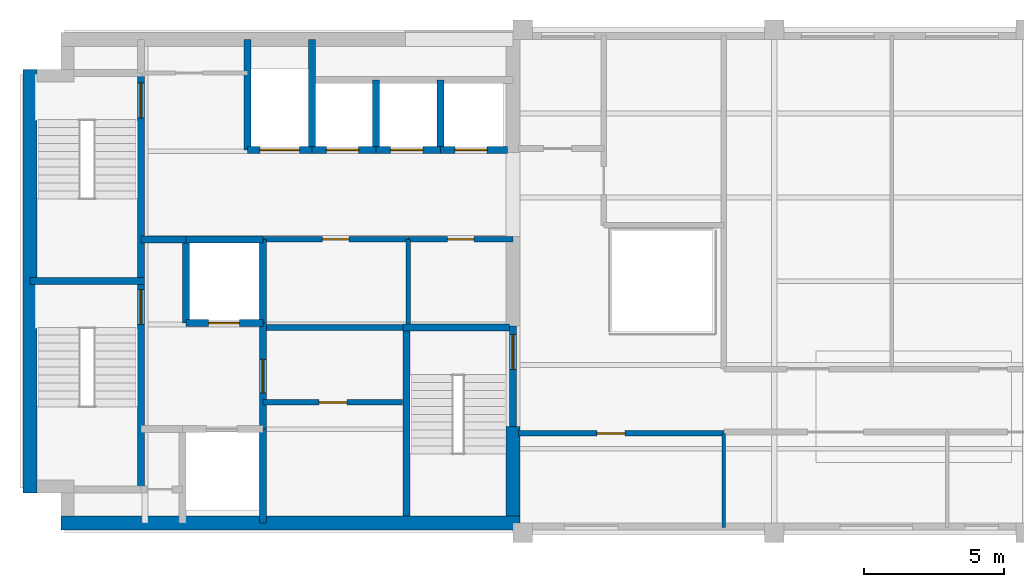
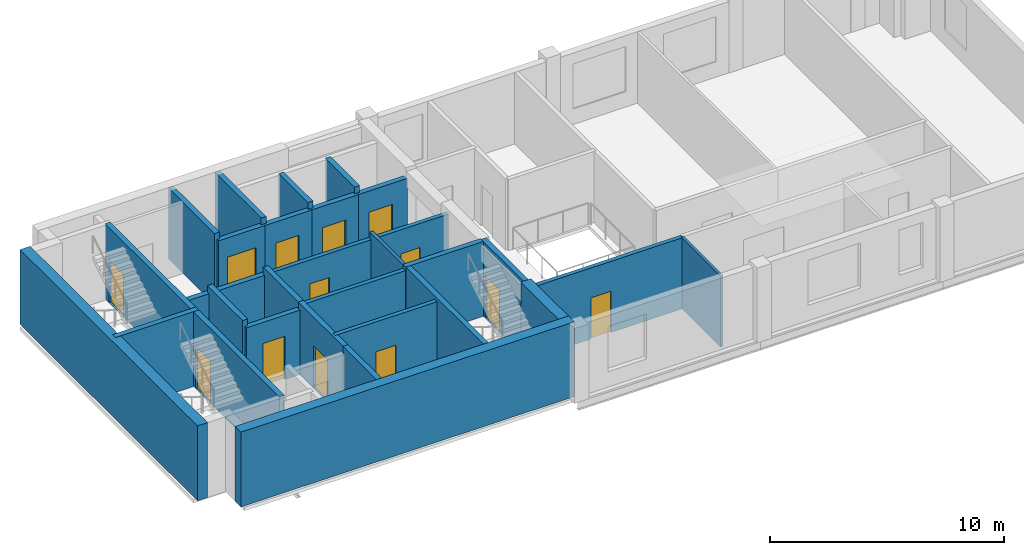
# One storey, part 2 of 5: 31 walls, 13 doors, 13 openings.
"""IFC4 building model written with IfcOpenShell, lengths in metres."""

from ifc_helpers import new_model, si_unit, direction, frame, frame_2d, origin, place, context, subcontext, project, spatial, rectangle, extrude, material, layer, layer_set, type_object, element, fill, save


model = new_model("IFC4")

# Units and contexts
model_context = context("Model", 3, precision=1e-05, world=origin(), true_north=direction((0.0, 1.0)))
body_context = subcontext(model_context, "Body", "Model", "MODEL_VIEW")
ifc_project = project(units=[si_unit("LENGTHUNIT", "METRE"), si_unit("AREAUNIT", "SQUARE_METRE"), si_unit("VOLUMEUNIT", "CUBIC_METRE"), si_unit("PLANEANGLEUNIT", "RADIAN"), si_unit("MASSUNIT", "GRAM", prefix="KILO")], contexts=[model_context])

# Site, building, storey
site_placement = place(None, origin())
site = spatial("IfcSite", under=ifc_project, at=site_placement, CompositionType="ELEMENT")
building_placement = place(site_placement, origin())
building = spatial("IfcBuilding", under=site, at=building_placement, Name="Mawjdan Bourse Tower", CompositionType="ELEMENT")
storey_placement = place(building_placement, frame((0.0, 0.0, 293.699951171875)))
storey = spatial("IfcBuildingStorey", under=building, at=storey_placement, Name="L72", CompositionType="ELEMENT", Elevation=293.699951171875)

# Wall, opening, door
ifc_material_1 = material(Name="Gypsum Fireboard Assembly")
ifc_layer_1 = layer(ifc_material_1, 0.199951171875)
ifc_layer_set_1 = layer_set([ifc_layer_1], Name="Gypsum Fireboard Assembly")
wall_type_1 = type_object("IfcWallType", Name="WL-CMP-200", PredefinedType="PARTITIONING", material=ifc_layer_set_1)
wall_1_placement = place(storey_placement, frame((14.699951171875, 7.659912109375, 0.0), z_axis=(0.0, 0.0, 1.0), x_axis=(1.0, 0.0, 0.0)))
wall_1 = element("IfcWall", 1, at=wall_1_placement, inside=storey, type_object=wall_type_1, Name="L72 Staff Wellness Lounge North Wall", PredefinedType="PARTITIONING", context=body_context, shape_type="SweptSolid", body=[
    extrude(rectangle(XDim=5.0, YDim=0.199951171875, at=frame_2d((2.5, 0.0))), origin(), (0.0, 0.0, 1.0), 3.705078125),
])
opening_1_placement = place(wall_1_placement, frame((2.0, 0.0, 0.0)))
opening_1 = element("IfcOpeningElement", 2, at=opening_1_placement, cuts=wall_1, Name="Opening D-L72-13", PredefinedType="OPENING", context=body_context, shape_type="SweptSolid", body=[
    extrude(rectangle(XDim=1.0, YDim=2.14990234375, at=frame_2d((0.5, 1.074951171875))), frame((0.0, 0.10986328125, 0.0), z_axis=(0.0, -1.0, 0.0), x_axis=(1.0, 0.0, 0.0)), (0.0, 0.0, 1.0), 0.219970703125),
])
ifc_material_2 = material(Name="Hardwood Acoustic Leaf", Category="wood")
door_type_1 = type_object("IfcDoorType", Name="DR-OFC-1000", OperationType="NOTDEFINED", PredefinedType="DOOR", material=ifc_material_2)
door_1_placement = place(opening_1_placement, origin())
door_1 = element("IfcDoor", 3, at=door_1_placement, inside=storey, type_object=door_type_1, Name="L72 Staff Wellness Lounge Door D-L72-13", OperationType="SINGLE_SWING_LEFT", OverallHeight=2.14990234375, OverallWidth=1.0, PredefinedType="DOOR", context=body_context, shape_type="SweptSolid", body=[
    extrude(rectangle(XDim=1.0, YDim=2.14990234375, at=frame_2d((0.5, 1.074951171875))), frame((0.0, 0.02490234375, 0.0), z_axis=(0.0, -1.0, 0.0), x_axis=(1.0, 0.0, 0.0)), (0.0, 0.0, 1.0), 0.050048828125),
])
fill(opening_1, door_1)

# Wall
wall_2_placement = place(storey_placement, frame((14.824951171875, 10.340087890625, 0.0), z_axis=(0.0, 0.0, 1.0), x_axis=(1.0, 0.0, 0.0)))
element("IfcWall", 4, at=wall_2_placement, inside=storey, type_object=wall_type_1, Name="L72 Core Restroom Suite South Wall", PredefinedType="PARTITIONING", context=body_context, shape_type="SweptSolid", body=[
    extrude(rectangle(XDim=4.880126953125, YDim=0.199951171875, at=frame_2d((2.43994140625, 0.0))), origin(), (0.0, 0.0, 1.0), 3.705078125),
])

# Wall, opening, door
wall_3_placement = place(storey_placement, frame((14.699951171875, 13.5, 0.0), z_axis=(0.0, 0.0, 1.0), x_axis=(1.0, 0.0, 0.0)))
wall_3 = element("IfcWall", 5, at=wall_3_placement, inside=storey, type_object=wall_type_1, Name="L72 Accessible WC North Wall", PredefinedType="PARTITIONING", context=body_context, shape_type="SweptSolid", body=[
    extrude(rectangle(XDim=5.199951171875, YDim=0.199951171875, at=frame_2d((2.60009765625, 0.0))), origin(), (0.0, 0.0, 1.0), 3.35400390625),
])
opening_2_placement = place(wall_3_placement, frame((2.125, 0.0, 0.0)))
opening_2 = element("IfcOpeningElement", 6, at=opening_2_placement, cuts=wall_3, Name="Opening D-L72-14", PredefinedType="OPENING", context=body_context, shape_type="SweptSolid", body=[
    extrude(rectangle(XDim=0.949951171875, YDim=2.10009765625, at=frame_2d((0.47509765625, 1.050048828125))), frame((0.0, 0.10986328125, 0.0), z_axis=(0.0, -1.0, 0.0), x_axis=(1.0, 0.0, 0.0)), (0.0, 0.0, 1.0), 0.219970703125),
])
ifc_material_3 = material(Name="Moisture-Resistant Laminate Timber", Category="wood")
door_type_2 = type_object("IfcDoorType", Name="DR-WET-0950", OperationType="NOTDEFINED", PredefinedType="DOOR", material=ifc_material_3)
door_2_placement = place(opening_2_placement, origin())
door_2 = element("IfcDoor", 7, at=door_2_placement, inside=storey, type_object=door_type_2, Name="L72 Accessible WC Door D-L72-14", OperationType="SINGLE_SWING_RIGHT", OverallHeight=2.10009765625, OverallWidth=0.949951171875, PredefinedType="DOOR", context=body_context, shape_type="SweptSolid", body=[
    extrude(rectangle(XDim=0.949951171875, YDim=2.10009765625, at=frame_2d((0.47509765625, 1.050048828125))), frame((0.0, 0.02490234375, 0.0), z_axis=(0.0, -1.0, 0.0), x_axis=(1.0, 0.0, 0.0)), (0.0, 0.0, 1.0), 0.050048828125),
])
fill(opening_2, door_2)

wall_4_placement = place(storey_placement, frame((19.89990234375, 13.5, 0.0), z_axis=(0.0, 0.0, 1.0), x_axis=(1.0, 0.0, 0.0)))
wall_4 = element("IfcWall", 8, at=wall_4_placement, inside=storey, type_object=wall_type_1, Name="L72 Staff Wellness & Quiet Room North Wall", PredefinedType="PARTITIONING", context=body_context, shape_type="SweptSolid", body=[
    extrude(rectangle(XDim=3.75, YDim=0.199951171875, at=frame_2d((1.875, 0.0))), origin(), (0.0, 0.0, 1.0), 3.35400390625),
])
opening_3_placement = place(wall_4_placement, frame((1.39990234375, 0.0, 0.0)))
opening_3 = element("IfcOpeningElement", 9, at=opening_3_placement, cuts=wall_4, Name="Opening D-L72-15", PredefinedType="OPENING", context=body_context, shape_type="SweptSolid", body=[
    extrude(rectangle(XDim=0.949951171875, YDim=2.10009765625, at=frame_2d((0.47509765625, 1.050048828125))), frame((0.0, 0.10986328125, 0.0), z_axis=(0.0, -1.0, 0.0), x_axis=(1.0, 0.0, 0.0)), (0.0, 0.0, 1.0), 0.219970703125),
])
door_3_placement = place(opening_3_placement, origin())
door_3 = element("IfcDoor", 10, at=door_3_placement, inside=storey, type_object=door_type_2, Name="L72 Staff Wellness & Quiet Room Door D-L72-15", OperationType="SINGLE_SWING_LEFT", OverallHeight=2.10009765625, OverallWidth=0.949951171875, PredefinedType="DOOR", context=body_context, shape_type="SweptSolid", body=[
    extrude(rectangle(XDim=0.949951171875, YDim=2.10009765625, at=frame_2d((0.47509765625, 1.050048828125))), frame((0.0, 0.02490234375, 0.0), z_axis=(0.0, -1.0, 0.0), x_axis=(1.0, 0.0, 0.0)), (0.0, 0.0, 1.0), 0.050048828125),
])
fill(opening_3, door_3)

wall_5_placement = place(storey_placement, frame((23.85009765625, 6.550048828125, 0.0), z_axis=(0.0, 0.0, 1.0), x_axis=(1.0, 0.0, 0.0)))
wall_5 = element("IfcWall", 11, at=wall_5_placement, inside=storey, type_object=wall_type_1, Name="L72 Summit Throat South Wall", PredefinedType="PARTITIONING", context=body_context, shape_type="SweptSolid", body=[
    extrude(rectangle(XDim=7.349853515625, YDim=0.199951171875, at=frame_2d((3.6748046875, 0.0))), origin(), (0.0, 0.0, 1.0), 3.705078125),
])
opening_4_placement = place(wall_5_placement, frame((2.800048828125, 0.0, 0.0)))
opening_4 = element("IfcOpeningElement", 12, at=opening_4_placement, cuts=wall_5, Name="Opening D-L72-17", PredefinedType="OPENING", context=body_context, shape_type="SweptSolid", body=[
    extrude(rectangle(XDim=1.0, YDim=2.14990234375, at=frame_2d((0.5, 1.074951171875))), frame((0.0, 0.10986328125, 0.0), z_axis=(0.0, -1.0, 0.0), x_axis=(1.0, 0.0, 0.0)), (0.0, 0.0, 1.0), 0.219970703125),
])
door_4_placement = place(opening_4_placement, origin())
door_4 = element("IfcDoor", 13, at=door_4_placement, inside=storey, type_object=door_type_1, Name="L72 Summit Throat South Room Door D-L72-17", OperationType="SINGLE_SWING_LEFT", OverallHeight=2.14990234375, OverallWidth=1.0, PredefinedType="DOOR", context=body_context, shape_type="SweptSolid", body=[
    extrude(rectangle(XDim=1.0, YDim=2.14990234375, at=frame_2d((0.5, 1.074951171875))), frame((0.0, 0.02490234375, 0.0), z_axis=(0.0, -1.0, 0.0), x_axis=(1.0, 0.0, 0.0)), (0.0, 0.0, 1.0), 0.050048828125),
])
fill(opening_4, door_4)

# Walls
ifc_material_4 = material(Name="Concrete C60/75", Category="concrete")
ifc_layer_2 = layer(ifc_material_4, 0.5)
ifc_layer_set_2 = layer_set([ifc_layer_2], Name="Concrete C60/75")
wall_type_2 = type_object("IfcWallType", Name="WL-CORE-500", PredefinedType="SHEAR", material=ifc_layer_set_2)
wall_6_placement = place(storey_placement, frame((7.47509765625, 3.35009765625, 0.0), z_axis=(0.0, 0.0, 1.0), x_axis=(1.0, 0.0, 0.0)))
element("IfcWall", 14, at=wall_6_placement, inside=storey, type_object=wall_type_2, Name="L72 Rear Core Shear Wall S", PredefinedType="SHEAR", context=body_context, shape_type="SweptSolid", body=[
    extrude(rectangle(XDim=16.4248046875, YDim=0.5, at=frame_2d((8.21240234375, 0.0))), origin(), (0.0, 0.0, 1.0), 3.900146484375),
])
wall_7_placement = place(storey_placement, frame((6.35009765625, 4.425048828125, 0.0), z_axis=(0.0, 0.0, 1.0), x_axis=(0.0, 1.0, 0.0)))
element("IfcWall", 15, at=wall_7_placement, inside=storey, type_object=wall_type_2, Name="L72 Rear Core Shear Wall W", PredefinedType="SHEAR", context=body_context, shape_type="SweptSolid", body=[
    extrude(rectangle(XDim=15.14990234375, YDim=0.5, at=frame_2d((7.574951171875, 0.0))), origin(), (0.0, 0.0, 1.0), 3.900146484375),
])
wall_8_placement = place(storey_placement, frame((23.64990234375, 3.60009765625, 0.0), z_axis=(0.0, 0.0, 1.0), x_axis=(0.0, 1.0, 0.0)))
element("IfcWall", 16, at=wall_8_placement, inside=storey, type_object=wall_type_2, Name="L72 Rear Core Shear Wall E1", PredefinedType="SHEAR", context=body_context, shape_type="SweptSolid", body=[
    extrude(rectangle(XDim=3.199951171875, YDim=0.5, at=frame_2d((1.60009765625, 0.0))), origin(), (0.0, 0.0, 1.0), 3.900146484375),
])
ifc_material_5 = material(Name="Gypsum Partition")
ifc_layer_3 = layer(ifc_material_5, 0.125)
ifc_layer_set_3 = layer_set([ifc_layer_3], Name="Gypsum Partition")
wall_type_3 = type_object("IfcWallType", Name="WL-PRT-125", PredefinedType="PARTITIONING", material=ifc_layer_set_3)
wall_9_placement = place(storey_placement, frame((31.199951171875, 3.179931640625, 0.0), z_axis=(0.0, 0.0, 1.0), x_axis=(0.0, 1.0, 0.0)))
element("IfcWall", 17, at=wall_9_placement, inside=storey, type_object=wall_type_3, Name="L72 Summit Throat South Return", PredefinedType="PARTITIONING", context=body_context, shape_type="SweptSolid", body=[
    extrude(rectangle(XDim=3.3701171875, YDim=0.125, at=frame_2d((1.68505859375, 0.0))), origin(), (0.0, 0.0, 1.0), 3.705078125),
])
ifc_material_6 = material(Name="Gypsum Acoustic Partition")
ifc_layer_4 = layer(ifc_material_6, 0.14990234375)
ifc_layer_set_4 = layer_set([ifc_layer_4], Name="Gypsum Acoustic Partition")
wall_type_4 = type_object("IfcWallType", Name="WL-PRT-150", PredefinedType="PARTITIONING", material=ifc_layer_set_4)
wall_10_placement = place(storey_placement, frame((19.89990234375, 10.465087890625, 0.0), z_axis=(0.0, 0.0, 1.0), x_axis=(0.0, 1.0, 0.0)))
element("IfcWall", 18, at=wall_10_placement, inside=storey, type_object=wall_type_4, Name="L72 Staff Wellness & Quiet Room Split Wall", PredefinedType="PARTITIONING", context=body_context, shape_type="SweptSolid", body=[
    extrude(rectangle(XDim=3.034912109375, YDim=0.14990234375, at=frame_2d((1.517578125, 0.0))), origin(), (0.0, 0.0, 1.0), 3.705078125),
])
ifc_material_7 = material(Name="Concrete C50/60", Category="concrete")
ifc_layer_5 = layer(ifc_material_7, 0.25)
ifc_layer_set_5 = layer_set([ifc_layer_5], Name="Concrete C50/60")
wall_type_5 = type_object("IfcWallType", Name="WL-SHFT-250", PredefinedType="PARTITIONING", material=ifc_layer_set_5)
wall_11_placement = place(storey_placement, frame((14.699951171875, 3.35009765625, 0.0), z_axis=(0.0, 0.0, 1.0), x_axis=(0.0, 1.0, 0.0)))
element("IfcWall", 19, at=wall_11_placement, inside=storey, type_object=wall_type_5, Name="L72 FFL-01 East Shaft Wall", PredefinedType="PARTITIONING", context=body_context, shape_type="SweptSolid", body=[
    extrude(rectangle(XDim=3.349853515625, YDim=0.25, at=frame_2d((1.6748046875, 0.0))), origin(), (0.0, 0.0, 1.0), 3.705078125),
])

# Wall, opening, door
wall_12_placement = place(storey_placement, frame((11.949951171875, 10.5, 0.0), z_axis=(0.0, 0.0, 1.0), x_axis=(1.0, 0.0, 0.0)))
wall_12 = element("IfcWall", 20, at=wall_12_placement, inside=storey, type_object=wall_type_5, Name="L72 FFL-02 Front Shaft Wall", PredefinedType="PARTITIONING", context=body_context, shape_type="SweptSolid", body=[
    extrude(rectangle(XDim=2.75, YDim=0.25, at=frame_2d((1.375, 0.0))), origin(), (0.0, 0.0, 1.0), 3.35400390625),
])
opening_5_placement = place(wall_12_placement, frame((0.800048828125, 0.0, 0.0)))
opening_5 = element("IfcOpeningElement", 21, at=opening_5_placement, cuts=wall_12, Name="Opening LD-L72-06", PredefinedType="OPENING", context=body_context, shape_type="SweptSolid", body=[
    extrude(rectangle(XDim=1.10009765625, YDim=2.25, at=frame_2d((0.550048828125, 1.125))), frame((0.0, 0.135009765625, 0.0), z_axis=(0.0, -1.0, 0.0), x_axis=(1.0, 0.0, 0.0)), (0.0, 0.0, 1.0), 0.27001953125),
])
ifc_material_8 = material(Name="Brushed Stainless Steel", Category="steel")
door_type_3 = type_object("IfcDoorType", Name="LD-FFL-1100", OperationType="DOUBLE_DOOR_SLIDING", PredefinedType="DOOR", material=ifc_material_8)
door_5_placement = place(opening_5_placement, origin())
door_5 = element("IfcDoor", 22, at=door_5_placement, inside=storey, type_object=door_type_3, Name="L72 Firefighting Lift FFL-02 Landing Door LD-L72-06", OperationType="DOUBLE_DOOR_SLIDING", OverallHeight=2.25, OverallWidth=1.10009765625, PredefinedType="DOOR", context=body_context, shape_type="SweptSolid", body=[
    extrude(rectangle(XDim=1.10009765625, YDim=2.25, at=frame_2d((0.550048828125, 1.125))), frame((0.0, 0.02490234375, 0.0), z_axis=(0.0, -1.0, 0.0), x_axis=(1.0, 0.0, 0.0)), (0.0, 0.0, 1.0), 0.050048828125),
])
fill(opening_5, door_5)

# Walls
wall_13_placement = place(storey_placement, frame((11.949951171875, 10.5, 0.0), z_axis=(0.0, 0.0, 1.0), x_axis=(0.0, 1.0, 0.0)))
element("IfcWall", 23, at=wall_13_placement, inside=storey, type_object=wall_type_5, Name="L72 FFL-02 West Shaft Wall", PredefinedType="PARTITIONING", context=body_context, shape_type="SweptSolid", body=[
    extrude(rectangle(XDim=3.0, YDim=0.25, at=frame_2d((1.5, 0.0))), origin(), (0.0, 0.0, 1.0), 3.705078125),
])
wall_14_placement = place(storey_placement, frame((11.949951171875, 13.5, 0.0), z_axis=(0.0, 0.0, 1.0), x_axis=(1.0, 0.0, 0.0)))
element("IfcWall", 24, at=wall_14_placement, inside=storey, type_object=wall_type_5, Name="L72 FFL-02 North Shaft Wall", PredefinedType="PARTITIONING", context=body_context, shape_type="SweptSolid", body=[
    extrude(rectangle(XDim=2.75, YDim=0.25, at=frame_2d((1.375, 0.0))), origin(), (0.0, 0.0, 1.0), 3.35400390625),
])
wall_15_placement = place(storey_placement, frame((14.699951171875, 10.5, 0.0), z_axis=(0.0, 0.0, 1.0), x_axis=(0.0, 1.0, 0.0)))
element("IfcWall", 25, at=wall_15_placement, inside=storey, type_object=wall_type_5, Name="L72 FFL-02 East Shaft Wall", PredefinedType="PARTITIONING", context=body_context, shape_type="SweptSolid", body=[
    extrude(rectangle(XDim=3.0, YDim=0.25, at=frame_2d((1.5, 0.0))), origin(), (0.0, 0.0, 1.0), 3.705078125),
])

# Wall, opening, door
wall_16_placement = place(storey_placement, frame((14.699951171875, 6.699951171875, 0.0), z_axis=(0.0, 0.0, 1.0), x_axis=(0.0, 1.0, 0.0)))
wall_16 = element("IfcWall", 26, at=wall_16_placement, inside=storey, type_object=wall_type_5, Name="L72 Firefighting Lobby East Compartment Wall", PredefinedType="PARTITIONING", context=body_context, shape_type="SweptSolid", body=[
    extrude(rectangle(XDim=3.800048828125, YDim=0.25, at=frame_2d((1.89990234375, 0.0))), origin(), (0.0, 0.0, 1.0), 3.705078125),
])
opening_6_placement = place(wall_16_placement, frame((1.300048828125, 0.0, 0.0)))
opening_6 = element("IfcOpeningElement", 27, at=opening_6_placement, cuts=wall_16, Name="Opening FD-L72-07", PredefinedType="OPENING", context=body_context, shape_type="SweptSolid", body=[
    extrude(rectangle(XDim=1.199951171875, YDim=2.199951171875, at=frame_2d((0.60009765625, 1.10009765625))), frame((0.0, 0.135009765625, 0.0), z_axis=(0.0, -1.0, 0.0), x_axis=(1.0, 0.0, 0.0)), (0.0, 0.0, 1.0), 0.27001953125),
])
ifc_material_9 = material(Name="Fire-Rated Steel Leaf", Category="steel")
door_type_4 = type_object("IfcDoorType", Name="FD-FFL-1200", OperationType="NOTDEFINED", PredefinedType="DOOR", material=ifc_material_9)
door_6_placement = place(opening_6_placement, origin())
door_6 = element("IfcDoor", 28, at=door_6_placement, inside=storey, type_object=door_type_4, Name="L72 Firefighting Lobby East Smoke Door FD-L72-07", OperationType="SINGLE_SWING_LEFT", OverallHeight=2.199951171875, OverallWidth=1.199951171875, PredefinedType="DOOR", context=body_context, shape_type="SweptSolid", body=[
    extrude(rectangle(XDim=1.199951171875, YDim=2.199951171875, at=frame_2d((0.60009765625, 1.10009765625))), frame((0.0, 0.02490234375, 0.0), z_axis=(0.0, -1.0, 0.0), x_axis=(1.0, 0.0, 0.0)), (0.0, 0.0, 1.0), 0.050048828125),
])
fill(opening_6, door_6)

# Wall
wall_17_placement = place(storey_placement, frame((10.330078125, 13.5, 0.0), z_axis=(0.0, 0.0, 1.0), x_axis=(1.0, 0.0, 0.0)))
element("IfcWall", 29, at=wall_17_placement, inside=storey, type_object=wall_type_5, Name="L72 Firefighting Lobby North Compartment Wall", PredefinedType="PARTITIONING", context=body_context, shape_type="SweptSolid", body=[
    extrude(rectangle(XDim=1.619873046875, YDim=0.25, at=frame_2d((0.81005859375, 0.0))), origin(), (0.0, 0.0, 1.0), 3.35400390625),
])

# Wall, opening, door
wall_18_placement = place(storey_placement, frame((14.14990234375, 16.699951171875, 0.0), z_axis=(0.0, 0.0, 1.0), x_axis=(1.0, 0.0, 0.0)))
wall_18 = element("IfcWall", 30, at=wall_18_placement, inside=storey, type_object=wall_type_5, Name="L72 SVL-01 Front Shaft Wall", PredefinedType="PARTITIONING", context=body_context, shape_type="SweptSolid", body=[
    extrude(rectangle(XDim=2.300048828125, YDim=0.25, at=frame_2d((1.14990234375, 0.0))), origin(), (0.0, 0.0, 1.0), 3.35400390625),
])
opening_7_placement = place(wall_18_placement, frame((0.449951171875, 0.0, 0.0)))
opening_7 = element("IfcOpeningElement", 31, at=opening_7_placement, cuts=wall_18, Name="Opening LD-L72-09", PredefinedType="OPENING", context=body_context, shape_type="SweptSolid", body=[
    extrude(rectangle(XDim=1.39990234375, YDim=2.35009765625, at=frame_2d((0.699951171875, 1.175048828125))), frame((0.0, 0.135009765625, 0.0), z_axis=(0.0, -1.0, 0.0), x_axis=(1.0, 0.0, 0.0)), (0.0, 0.0, 1.0), 0.27001953125),
])
ifc_material_10 = material(Name="Heavy-Duty Stainless Steel", Category="steel")
door_type_5 = type_object("IfcDoorType", Name="LD-SRV-1400", OperationType="DOUBLE_DOOR_SLIDING", PredefinedType="DOOR", material=ifc_material_10)
door_7_placement = place(opening_7_placement, origin())
door_7 = element("IfcDoor", 32, at=door_7_placement, inside=storey, type_object=door_type_5, Name="L72 Service Lift SVL-01 Landing Door LD-L72-09", OperationType="DOUBLE_DOOR_SLIDING", OverallHeight=2.35009765625, OverallWidth=1.39990234375, PredefinedType="DOOR", context=body_context, shape_type="SweptSolid", body=[
    extrude(rectangle(XDim=1.39990234375, YDim=2.35009765625, at=frame_2d((0.699951171875, 1.175048828125))), frame((0.0, 0.02490234375, 0.0), z_axis=(0.0, -1.0, 0.0), x_axis=(1.0, 0.0, 0.0)), (0.0, 0.0, 1.0), 0.050048828125),
])
fill(opening_7, door_7)

# Walls
for number, where, z_axis, x_axis, name in (
    (33, (14.14990234375, 16.699951171875, 0.0), (0.0, 0.0, 1.0), (0.0, 1.0, 0.0), "L72 SVL-01 West Shaft Wall"),
    (34, (16.449951171875, 16.699951171875, 0.0), (0.0, 0.0, 1.0), (0.0, 1.0, 0.0), "L72 SVL-01 East Shaft Wall"),
):
    element("IfcWall", number, at=place(storey_placement, frame(where, z_axis=z_axis, x_axis=x_axis)), inside=storey, type_object=wall_type_5, Name=name, PredefinedType="PARTITIONING", context=body_context, shape_type="SweptSolid", body=[
        extrude(rectangle(XDim=3.949951171875, YDim=0.25, at=frame_2d((1.97509765625, 0.0))), origin(), (0.0, 0.0, 1.0), 3.705078125),
    ])

# Wall, opening, door
wall_19_placement = place(storey_placement, frame((16.449951171875, 16.699951171875, 0.0), z_axis=(0.0, 0.0, 1.0), x_axis=(1.0, 0.0, 0.0)))
wall_19 = element("IfcWall", 35, at=wall_19_placement, inside=storey, type_object=wall_type_5, Name="L72 PH-01 Front Wall", PredefinedType="PARTITIONING", context=body_context, shape_type="SweptSolid", body=[
    extrude(rectangle(XDim=2.300048828125, YDim=0.25, at=frame_2d((1.14990234375, 0.0))), origin(), (0.0, 0.0, 1.0), 3.35400390625),
])
opening_8_placement = place(wall_19_placement, frame((0.52001953125, 0.0, 0.0)))
opening_8 = element("IfcOpeningElement", 36, at=opening_8_placement, cuts=wall_19, Name="Opening LD-L72-10", PredefinedType="OPENING", context=body_context, shape_type="SweptSolid", body=[
    extrude(rectangle(XDim=1.14990234375, YDim=2.25, at=frame_2d((0.574951171875, 1.125))), frame((0.0, 0.135009765625, 0.0), z_axis=(0.0, -1.0, 0.0), x_axis=(1.0, 0.0, 0.0)), (0.0, 0.0, 1.0), 0.27001953125),
])
door_type_6 = type_object("IfcDoorType", Name="LD-PAS-1150", OperationType="DOUBLE_DOOR_SLIDING", PredefinedType="DOOR", material=ifc_material_8)
door_8_placement = place(opening_8_placement, origin())
door_8 = element("IfcDoor", 37, at=door_8_placement, inside=storey, type_object=door_type_6, Name="L72 Lift PH-01 Landing Door LD-L72-10", OperationType="DOUBLE_DOOR_SLIDING", OverallHeight=2.25, OverallWidth=1.14990234375, PredefinedType="DOOR", context=body_context, shape_type="SweptSolid", body=[
    extrude(rectangle(XDim=1.14990234375, YDim=2.25, at=frame_2d((0.574951171875, 1.125))), frame((0.0, 0.02490234375, 0.0), z_axis=(0.0, -1.0, 0.0), x_axis=(1.0, 0.0, 0.0)), (0.0, 0.0, 1.0), 0.050048828125),
])
fill(opening_8, door_8)

# Wall
wall_20_placement = place(storey_placement, frame((18.75, 16.699951171875, 0.0), z_axis=(0.0, 0.0, 1.0), x_axis=(0.0, 1.0, 0.0)))
element("IfcWall", 38, at=wall_20_placement, inside=storey, type_object=wall_type_5, Name="L72 PH-01 Divider Wall", PredefinedType="PARTITIONING", context=body_context, shape_type="SweptSolid", body=[
    extrude(rectangle(XDim=2.5, YDim=0.25, at=frame_2d((1.25, 0.0))), origin(), (0.0, 0.0, 1.0), 3.705078125),
])

# Wall, opening, door
wall_21_placement = place(storey_placement, frame((18.75, 16.699951171875, 0.0), z_axis=(0.0, 0.0, 1.0), x_axis=(1.0, 0.0, 0.0)))
wall_21 = element("IfcWall", 39, at=wall_21_placement, inside=storey, type_object=wall_type_5, Name="L72 PH-02 Front Wall", PredefinedType="PARTITIONING", context=body_context, shape_type="SweptSolid", body=[
    extrude(rectangle(XDim=2.300048828125, YDim=0.25, at=frame_2d((1.14990234375, 0.0))), origin(), (0.0, 0.0, 1.0), 3.35400390625),
])
opening_9_placement = place(wall_21_placement, frame((0.52001953125, 0.0, 0.0)))
opening_9 = element("IfcOpeningElement", 40, at=opening_9_placement, cuts=wall_21, Name="Opening LD-L72-11", PredefinedType="OPENING", context=body_context, shape_type="SweptSolid", body=[
    extrude(rectangle(XDim=1.14990234375, YDim=2.25, at=frame_2d((0.574951171875, 1.125))), frame((0.0, 0.135009765625, 0.0), z_axis=(0.0, -1.0, 0.0), x_axis=(1.0, 0.0, 0.0)), (0.0, 0.0, 1.0), 0.27001953125),
])
door_9_placement = place(opening_9_placement, origin())
door_9 = element("IfcDoor", 41, at=door_9_placement, inside=storey, type_object=door_type_6, Name="L72 Lift PH-02 Landing Door LD-L72-11", OperationType="DOUBLE_DOOR_SLIDING", OverallHeight=2.25, OverallWidth=1.14990234375, PredefinedType="DOOR", context=body_context, shape_type="SweptSolid", body=[
    extrude(rectangle(XDim=1.14990234375, YDim=2.25, at=frame_2d((0.574951171875, 1.125))), frame((0.0, 0.02490234375, 0.0), z_axis=(0.0, -1.0, 0.0), x_axis=(1.0, 0.0, 0.0)), (0.0, 0.0, 1.0), 0.050048828125),
])
fill(opening_9, door_9)

# Wall
wall_22_placement = place(storey_placement, frame((21.050048828125, 16.699951171875, 0.0), z_axis=(0.0, 0.0, 1.0), x_axis=(0.0, 1.0, 0.0)))
element("IfcWall", 42, at=wall_22_placement, inside=storey, type_object=wall_type_5, Name="L72 PH-02 Divider Wall", PredefinedType="PARTITIONING", context=body_context, shape_type="SweptSolid", body=[
    extrude(rectangle(XDim=2.5, YDim=0.25, at=frame_2d((1.25, 0.0))), origin(), (0.0, 0.0, 1.0), 3.705078125),
])

# Wall, opening, door
wall_23_placement = place(storey_placement, frame((21.050048828125, 16.699951171875, 0.0), z_axis=(0.0, 0.0, 1.0), x_axis=(1.0, 0.0, 0.0)))
wall_23 = element("IfcWall", 43, at=wall_23_placement, inside=storey, type_object=wall_type_5, Name="L72 PH-03 Front Wall", PredefinedType="PARTITIONING", context=body_context, shape_type="SweptSolid", body=[
    extrude(rectangle(XDim=2.39990234375, YDim=0.25, at=frame_2d((1.199951171875, 0.0))), origin(), (0.0, 0.0, 1.0), 3.35400390625),
])
opening_10_placement = place(wall_23_placement, frame((0.52001953125, 0.0, 0.0)))
opening_10 = element("IfcOpeningElement", 44, at=opening_10_placement, cuts=wall_23, Name="Opening LD-L72-12", PredefinedType="OPENING", context=body_context, shape_type="SweptSolid", body=[
    extrude(rectangle(XDim=1.14990234375, YDim=2.25, at=frame_2d((0.574951171875, 1.125))), frame((0.0, 0.135009765625, 0.0), z_axis=(0.0, -1.0, 0.0), x_axis=(1.0, 0.0, 0.0)), (0.0, 0.0, 1.0), 0.27001953125),
])
door_10_placement = place(opening_10_placement, origin())
door_10 = element("IfcDoor", 45, at=door_10_placement, inside=storey, type_object=door_type_6, Name="L72 Lift PH-03 Landing Door LD-L72-12", OperationType="DOUBLE_DOOR_SLIDING", OverallHeight=2.25, OverallWidth=1.14990234375, PredefinedType="DOOR", context=body_context, shape_type="SweptSolid", body=[
    extrude(rectangle(XDim=1.14990234375, YDim=2.25, at=frame_2d((0.574951171875, 1.125))), frame((0.0, 0.02490234375, 0.0), z_axis=(0.0, -1.0, 0.0), x_axis=(1.0, 0.0, 0.0)), (0.0, 0.0, 1.0), 0.050048828125),
])
fill(opening_10, door_10)

# Wall
ifc_layer_6 = layer(ifc_material_7, 0.25)
ifc_layer_set_6 = layer_set([ifc_layer_6], Name="Concrete C50/60")
wall_type_6 = type_object("IfcWallType", Name="WL-STRW-250", PredefinedType="SHEAR", material=ifc_layer_set_6)
wall_24_placement = place(storey_placement, frame((6.35009765625, 12.0, 0.0), z_axis=(0.0, 0.0, 1.0), x_axis=(1.0, 0.0, 0.0)))
element("IfcWall", 46, at=wall_24_placement, inside=storey, type_object=wall_type_6, Name="L72 Stairwell Dividing Shaft Wall", PredefinedType="SHEAR", context=body_context, shape_type="SweptSolid", body=[
    extrude(rectangle(XDim=4.10498046875, YDim=0.25, at=frame_2d((2.052490234375, 0.0))), origin(), (0.0, 0.0, 1.0), 3.900146484375),
])

# Wall, opening, door
wall_25_placement = place(storey_placement, frame((10.330078125, 4.550048828125, 0.0), z_axis=(0.0, 0.0, 1.0), x_axis=(0.0, 1.0, 0.0)))
wall_25 = element("IfcWall", 47, at=wall_25_placement, inside=storey, type_object=wall_type_6, Name="L72 Stairwell ST1 East Enclosure Wall", PredefinedType="SHEAR", context=body_context, shape_type="SweptSolid", body=[
    extrude(rectangle(XDim=7.449951171875, YDim=0.25, at=frame_2d((3.72509765625, 0.0))), origin(), (0.0, 0.0, 1.0), 3.900146484375),
])
opening_11_placement = place(wall_25_placement, frame((5.89990234375, 0.0, 0.0)))
opening_11 = element("IfcOpeningElement", 48, at=opening_11_placement, cuts=wall_25, Name="Opening SD-L72-01", PredefinedType="OPENING", context=body_context, shape_type="SweptSolid", body=[
    extrude(rectangle(XDim=1.25, YDim=2.199951171875, at=frame_2d((0.625, 1.10009765625))), frame((0.0, 0.135009765625, 0.0), z_axis=(0.0, -1.0, 0.0), x_axis=(1.0, 0.0, 0.0)), (0.0, 0.0, 1.0), 0.27001953125),
])
door_type_7 = type_object("IfcDoorType", Name="FD-ST-1250", OperationType="NOTDEFINED", PredefinedType="DOOR", material=ifc_material_9)
door_11_placement = place(opening_11_placement, origin())
door_11 = element("IfcDoor", 49, at=door_11_placement, inside=storey, type_object=door_type_7, Name="L72 Exit Stair ST1 Fire Door SD-L72-01", OperationType="SINGLE_SWING_LEFT", OverallHeight=2.199951171875, OverallWidth=1.25, PredefinedType="DOOR", context=body_context, shape_type="SweptSolid", body=[
    extrude(rectangle(XDim=1.25, YDim=2.199951171875, at=frame_2d((0.625, 1.10009765625))), frame((0.0, 0.02490234375, 0.0), z_axis=(0.0, -1.0, 0.0), x_axis=(1.0, 0.0, 0.0)), (0.0, 0.0, 1.0), 0.050048828125),
])
fill(opening_11, door_11)

wall_26_placement = place(storey_placement, frame((10.330078125, 12.0, 0.0), z_axis=(0.0, 0.0, 1.0), x_axis=(0.0, 1.0, 0.0)))
wall_26 = element("IfcWall", 50, at=wall_26_placement, inside=storey, type_object=wall_type_6, Name="L72 Stairwell ST2 East Enclosure Wall", PredefinedType="SHEAR", context=body_context, shape_type="SweptSolid", body=[
    extrude(rectangle(XDim=7.449951171875, YDim=0.25, at=frame_2d((3.72509765625, 0.0))), origin(), (0.0, 0.0, 1.0), 3.900146484375),
])
opening_12_placement = place(wall_26_placement, frame((5.85009765625, 0.0, 0.0)))
opening_12 = element("IfcOpeningElement", 51, at=opening_12_placement, cuts=wall_26, Name="Opening SD-L72-02", PredefinedType="OPENING", context=body_context, shape_type="SweptSolid", body=[
    extrude(rectangle(XDim=1.25, YDim=2.199951171875, at=frame_2d((0.625, 1.10009765625))), frame((0.0, 0.135009765625, 0.0), z_axis=(0.0, -1.0, 0.0), x_axis=(1.0, 0.0, 0.0)), (0.0, 0.0, 1.0), 0.27001953125),
])
door_12_placement = place(opening_12_placement, origin())
door_12 = element("IfcDoor", 52, at=door_12_placement, inside=storey, type_object=door_type_7, Name="L72 Exit Stair ST2 Fire Door SD-L72-02", OperationType="SINGLE_SWING_RIGHT", OverallHeight=2.199951171875, OverallWidth=1.25, PredefinedType="DOOR", context=body_context, shape_type="SweptSolid", body=[
    extrude(rectangle(XDim=1.25, YDim=2.199951171875, at=frame_2d((0.625, 1.10009765625))), frame((0.0, 0.02490234375, 0.0), z_axis=(0.0, -1.0, 0.0), x_axis=(1.0, 0.0, 0.0)), (0.0, 0.0, 1.0), 0.050048828125),
])
fill(opening_12, door_12)

# Walls
wall_27_placement = place(storey_placement, frame((19.830078125, 3.60009765625, 0.0), z_axis=(0.0, 0.0, 1.0), x_axis=(0.0, 1.0, 0.0)))
element("IfcWall", 53, at=wall_27_placement, inside=storey, type_object=wall_type_6, Name="L72 ST7 West Shaft Wall", PredefinedType="SHEAR", context=body_context, shape_type="SweptSolid", body=[
    extrude(rectangle(XDim=6.739990234375, YDim=0.25, at=frame_2d((3.3701171875, 0.0))), origin(), (0.0, 0.0, 1.0), 3.900146484375),
])
wall_28_placement = place(storey_placement, frame((19.705078125, 10.340087890625, 0.0), z_axis=(0.0, 0.0, 1.0), x_axis=(1.0, 0.0, 0.0)))
element("IfcWall", 54, at=wall_28_placement, inside=storey, type_object=wall_type_6, Name="L72 ST7 North Shaft Wall", PredefinedType="SHEAR", context=body_context, shape_type="SweptSolid", body=[
    extrude(rectangle(XDim=3.81982421875, YDim=0.25, at=frame_2d((1.909912109375, 0.0))), origin(), (0.0, 0.0, 1.0), 3.900146484375),
])

# Wall, opening, door
wall_29_placement = place(storey_placement, frame((23.64990234375, 6.800048828125, 0.0), z_axis=(0.0, 0.0, 1.0), x_axis=(0.0, 1.0, 0.0)))
wall_29 = element("IfcWall", 55, at=wall_29_placement, inside=storey, type_object=wall_type_6, Name="L72 ST7 East Shaft Wall", PredefinedType="SHEAR", context=body_context, shape_type="SweptSolid", body=[
    extrude(rectangle(XDim=3.599853515625, YDim=0.25, at=frame_2d((1.7998046875, 0.0))), origin(), (0.0, 0.0, 1.0), 3.900146484375),
])
opening_13_placement = place(wall_29_placement, frame((2.0400390625, 0.0, 0.0)))
opening_13 = element("IfcOpeningElement", 56, at=opening_13_placement, cuts=wall_29, Name="Opening SD-L72-25", PredefinedType="OPENING", context=body_context, shape_type="SweptSolid", body=[
    extrude(rectangle(XDim=1.25, YDim=2.199951171875, at=frame_2d((0.625, 1.10009765625))), frame((0.0, 0.135009765625, 0.0), z_axis=(0.0, -1.0, 0.0), x_axis=(1.0, 0.0, 0.0)), (0.0, 0.0, 1.0), 0.27001953125),
])
door_13_placement = place(opening_13_placement, origin())
door_13 = element("IfcDoor", 57, at=door_13_placement, inside=storey, type_object=door_type_7, Name="L72 Stair ST7 Fire Door SD-L72-25", OperationType="SINGLE_SWING_LEFT", OverallHeight=2.199951171875, OverallWidth=1.25, PredefinedType="DOOR", context=body_context, shape_type="SweptSolid", body=[
    extrude(rectangle(XDim=1.25, YDim=2.199951171875, at=frame_2d((0.625, 1.10009765625))), frame((0.0, 0.02490234375, 0.0), z_axis=(0.0, -1.0, 0.0), x_axis=(1.0, 0.0, 0.0)), (0.0, 0.0, 1.0), 0.050048828125),
])
fill(opening_13, door_13)

save(model, "model.ifc")
